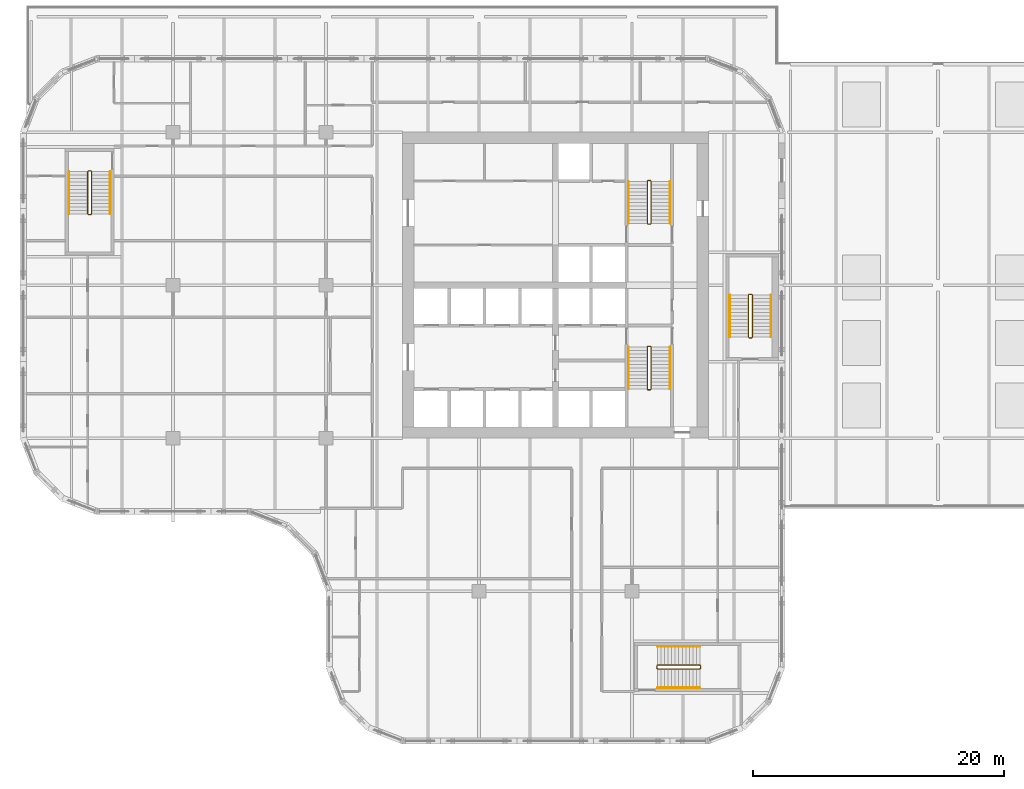
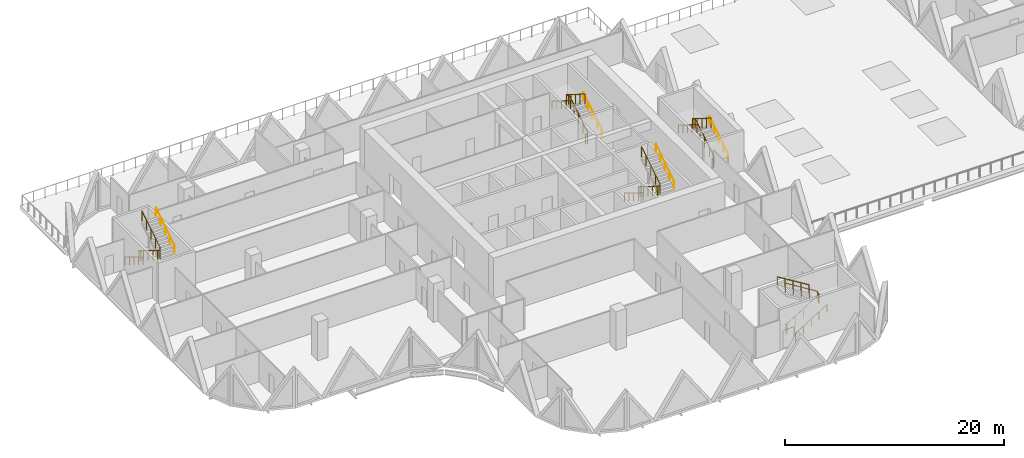
# One storey, part 19 of 21: 15 railings.
"""IFC4 building model written with IfcOpenShell, lengths in metres."""

from ifc_helpers import new_model, si_unit, direction, frame, origin, origin_2d, place, context, subcontext, project, spatial, circle, extrude, material, type_object, element, save


model = new_model("IFC4")

# Units and contexts
model_context = context("Model", 3, precision=1e-05, world=origin(), true_north=direction((0.0, 1.0)))
body_context = subcontext(model_context, "Body", "Model", "MODEL_VIEW")
ifc_project = project(units=[si_unit("LENGTHUNIT", "METRE"), si_unit("AREAUNIT", "SQUARE_METRE"), si_unit("VOLUMEUNIT", "CUBIC_METRE"), si_unit("PLANEANGLEUNIT", "RADIAN"), si_unit("MASSUNIT", "GRAM", prefix="KILO")], contexts=[model_context])

# Site, building, storey
site_placement = place(None, origin())
site = spatial("IfcSite", under=ifc_project, at=site_placement, CompositionType="ELEMENT")
building_placement = place(site_placement, origin())
building = spatial("IfcBuilding", under=site, at=building_placement, Name="Tessera Gate Towers", CompositionType="ELEMENT")
storey_placement = place(building_placement, frame((0.0, 0.0, 16.800048828125)))
storey = spatial("IfcBuildingStorey", under=building, at=storey_placement, Name="L03", CompositionType="ELEMENT", Elevation=16.800048828125)

# Railings
ifc_material_1 = material(Name="Steel 350W", Category="steel")
railing_type_1 = type_object("IfcRailingType", Name="STAIR GUARD 1100", PredefinedType="GUARDRAIL", material=ifc_material_1)
railing_1_placement = place(storey_placement, frame((50.27490234375, 31.72509765625, 0.0)))
element("IfcRailing", 1, at=railing_1_placement, inside=storey, type_object=railing_type_1, Name="L03 ST1 stair guard 1", PredefinedType="GUARDRAIL", context=body_context, shape_type="SweptSolid", body=[
    extrude(circle(Radius=0.02392578125, at=origin_2d()), frame((0.0, 0.0, 1.076171875), z_axis=(-1.0, 0.0, 0.0), x_axis=(0.0, -1.0, 0.0)), (0.0, 0.0, 1.0), 0.199951171875),
    extrude(circle(Radius=0.02392578125, at=origin_2d()), frame((-0.199951171875, 0.0, 1.076171875), z_axis=(-0.267629722418, -0.267629722418, 0.925607186314), x_axis=(0.707106781187, -0.707106781187, 0.0)), (0.0, 0.0, 1.0), 0.18701171875),
    extrude(circle(Radius=0.02392578125, at=origin_2d()), frame((-0.25, -0.050048828125, 1.2490234375), z_axis=(0.0, -0.850623216509, 0.525775754039), x_axis=(1.0, 0.0, 0.0)), (0.0, 0.0, 1.0), 3.9501953125),
    extrude(circle(Radius=0.02392578125, at=origin_2d()), frame((-0.25, -3.41015625, 3.326171875), z_axis=(0.707106781187, -0.707106781187, 0.0), x_axis=(0.707106781187, 0.707106781187, 0.0)), (0.0, 0.0, 1.0), 0.07080078125),
    extrude(circle(Radius=0.02392578125, at=origin_2d()), frame((-0.199951171875, -3.460205078125, 3.326171875), z_axis=(1.0, 0.0, 0.0), x_axis=(0.0, 1.0, 0.0)), (0.0, 0.0, 1.0), 0.199951171875),
    extrude(circle(Radius=0.02392578125, at=origin_2d()), frame((0.0, -3.460205078125, 3.326171875), z_axis=(0.267629722418, 0.267629722418, 0.925607186314), x_axis=(-0.707106781187, 0.707106781187, 0.0)), (0.0, 0.0, 1.0), 0.18701171875),
    extrude(circle(Radius=0.02392578125, at=origin_2d()), frame((0.050048828125, -3.41015625, 3.4990234375), z_axis=(0.0, 0.850623216509, 0.525775754039), x_axis=(-1.0, 0.0, 0.0)), (0.0, 0.0, 1.0), 3.9501953125),
    extrude(circle(Radius=0.02099609375, at=origin_2d()), origin(), (0.0, 0.0, 1.0), 1.052001953125),
    extrude(circle(Radius=0.02099609375, at=origin_2d()), frame((-0.199951171875, 0.0, 0.0)), (0.0, 0.0, 1.0), 1.052001953125),
    extrude(circle(Radius=0.02099609375, at=origin_2d()), frame((-0.25, -0.050048828125, 0.173095703125)), (0.0, 0.0, 1.0), 1.052001953125),
    extrude(circle(Radius=0.02099609375, at=origin_2d()), frame((-0.25, -0.89013671875, 0.6923828125)), (0.0, 0.0, 1.0), 1.052001953125),
    extrude(circle(Radius=0.02099609375, at=origin_2d()), frame((-0.25, -1.72998046875, 1.21142578125)), (0.0, 0.0, 1.0), 1.052001953125),
    extrude(circle(Radius=0.02099609375, at=origin_2d()), frame((-0.25, -2.570068359375, 1.730712890625)), (0.0, 0.0, 1.0), 1.052001953125),
    extrude(circle(Radius=0.02099609375, at=origin_2d()), frame((-0.25, -3.41015625, 2.25)), (0.0, 0.0, 1.0), 1.052001953125),
    extrude(circle(Radius=0.02099609375, at=origin_2d()), frame((-0.199951171875, -3.460205078125, 2.25)), (0.0, 0.0, 1.0), 1.052001953125),
    extrude(circle(Radius=0.02099609375, at=origin_2d()), frame((0.0, -3.460205078125, 2.25)), (0.0, 0.0, 1.0), 1.052001953125),
    extrude(circle(Radius=0.02099609375, at=origin_2d()), frame((0.050048828125, -3.41015625, 2.423095703125)), (0.0, 0.0, 1.0), 1.052001953125),
    extrude(circle(Radius=0.02099609375, at=origin_2d()), frame((0.050048828125, -2.570068359375, 2.9423828125)), (0.0, 0.0, 1.0), 1.052001953125),
    extrude(circle(Radius=0.02099609375, at=origin_2d()), frame((0.050048828125, -1.72998046875, 3.46142578125)), (0.0, 0.0, 1.0), 1.052001953125),
    extrude(circle(Radius=0.02099609375, at=origin_2d()), frame((0.050048828125, -0.89013671875, 3.980712890625)), (0.0, 0.0, 1.0), 1.052001953125),
    extrude(circle(Radius=0.02099609375, at=origin_2d()), frame((0.050048828125, -0.050048828125, 4.5)), (0.0, 0.0, 1.0), 1.052001953125),
])
railing_2_placement = place(storey_placement, frame((50.074951171875, 41.47509765625, 0.0)))
element("IfcRailing", 2, at=railing_2_placement, inside=storey, type_object=railing_type_1, Name="L03 ST2 stair guard 1", PredefinedType="GUARDRAIL", context=body_context, shape_type="SweptSolid", body=[
    extrude(circle(Radius=0.02392578125, at=origin_2d()), frame((0.0, 0.0, 1.076171875), z_axis=(1.0, 0.0, 0.0), x_axis=(0.0, 1.0, 0.0)), (0.0, 0.0, 1.0), 0.199951171875),
    extrude(circle(Radius=0.02392578125, at=origin_2d()), frame((0.199951171875, 0.0, 1.076171875), z_axis=(0.267723051232, 0.266417085129, 0.925929967433), x_axis=(-0.705375805398, 0.708833529934, 0.0)), (0.0, 0.0, 1.0), 0.18701171875),
    extrude(circle(Radius=0.02392578125, at=origin_2d()), frame((0.25, 0.0498046875, 1.2490234375), z_axis=(0.0, 0.850623216509, 0.525775754039), x_axis=(-1.0, 0.0, 0.0)), (0.0, 0.0, 1.0), 3.9501953125),
    extrude(circle(Radius=0.02392578125, at=origin_2d()), frame((0.25, 3.409912109375, 3.326171875), z_axis=(-0.707106781187, 0.707106781187, 0.0), x_axis=(-0.707106781187, -0.707106781187, 0.0)), (0.0, 0.0, 1.0), 0.07080078125),
    extrude(circle(Radius=0.02392578125, at=origin_2d()), frame((0.199951171875, 3.4599609375, 3.326171875), z_axis=(-1.0, 0.0, 0.0), x_axis=(0.0, -1.0, 0.0)), (0.0, 0.0, 1.0), 0.199951171875),
    extrude(circle(Radius=0.02392578125, at=origin_2d()), frame((0.0, 3.4599609375, 3.326171875), z_axis=(-0.267629722418, -0.267629722418, 0.925607186314), x_axis=(0.707106781187, -0.707106781187, 0.0)), (0.0, 0.0, 1.0), 0.18701171875),
    extrude(circle(Radius=0.02392578125, at=origin_2d()), frame((-0.050048828125, 3.409912109375, 3.4990234375), z_axis=(0.0, -0.850623216509, 0.525775754039), x_axis=(1.0, 0.0, 0.0)), (0.0, 0.0, 1.0), 3.9501953125),
    extrude(circle(Radius=0.02099609375, at=origin_2d()), origin(), (0.0, 0.0, 1.0), 1.052001953125),
    extrude(circle(Radius=0.02099609375, at=origin_2d()), frame((0.199951171875, 0.0, 0.0)), (0.0, 0.0, 1.0), 1.052001953125),
    extrude(circle(Radius=0.02099609375, at=origin_2d()), frame((0.25, 0.0498046875, 0.173095703125)), (0.0, 0.0, 1.0), 1.052001953125),
    extrude(circle(Radius=0.02099609375, at=origin_2d()), frame((0.25, 0.889892578125, 0.6923828125)), (0.0, 0.0, 1.0), 1.052001953125),
    extrude(circle(Radius=0.02099609375, at=origin_2d()), frame((0.25, 1.72998046875, 1.21142578125)), (0.0, 0.0, 1.0), 1.052001953125),
    extrude(circle(Radius=0.02099609375, at=origin_2d()), frame((0.25, 2.56982421875, 1.730712890625)), (0.0, 0.0, 1.0), 1.052001953125),
    extrude(circle(Radius=0.02099609375, at=origin_2d()), frame((0.25, 3.409912109375, 2.25)), (0.0, 0.0, 1.0), 1.052001953125),
    extrude(circle(Radius=0.02099609375, at=origin_2d()), frame((0.199951171875, 3.4599609375, 2.25)), (0.0, 0.0, 1.0), 1.052001953125),
    extrude(circle(Radius=0.02099609375, at=origin_2d()), frame((0.0, 3.4599609375, 2.25)), (0.0, 0.0, 1.0), 1.052001953125),
    extrude(circle(Radius=0.02099609375, at=origin_2d()), frame((-0.050048828125, 3.409912109375, 2.423095703125)), (0.0, 0.0, 1.0), 1.052001953125),
    extrude(circle(Radius=0.02099609375, at=origin_2d()), frame((-0.050048828125, 2.56982421875, 2.9423828125)), (0.0, 0.0, 1.0), 1.052001953125),
    extrude(circle(Radius=0.02099609375, at=origin_2d()), frame((-0.050048828125, 1.72998046875, 3.46142578125)), (0.0, 0.0, 1.0), 1.052001953125),
    extrude(circle(Radius=0.02099609375, at=origin_2d()), frame((-0.050048828125, 0.889892578125, 3.980712890625)), (0.0, 0.0, 1.0), 1.052001953125),
    extrude(circle(Radius=0.02099609375, at=origin_2d()), frame((-0.050048828125, 0.0498046875, 4.5)), (0.0, 0.0, 1.0), 1.052001953125),
])
railing_3_placement = place(storey_placement, frame((5.64990234375, 45.699951171875, 0.0)))
element("IfcRailing", 3, at=railing_3_placement, inside=storey, type_object=railing_type_1, Name="L03 ST3 stair guard 1", PredefinedType="GUARDRAIL", context=body_context, shape_type="SweptSolid", body=[
    extrude(circle(Radius=0.02392578125, at=origin_2d()), frame((0.0, 0.0, 1.076171875), z_axis=(-1.0, 0.0, 0.0), x_axis=(0.0, -1.0, 0.0)), (0.0, 0.0, 1.0), 0.199951171875),
    extrude(circle(Radius=0.02392578125, at=origin_2d()), frame((-0.199951171875, 0.0, 1.076171875), z_axis=(-0.267629722418, -0.267629722418, 0.925607186314), x_axis=(0.707106781187, -0.707106781187, 0.0)), (0.0, 0.0, 1.0), 0.18701171875),
    extrude(circle(Radius=0.02392578125, at=origin_2d()), frame((-0.25, -0.050048828125, 1.2490234375), z_axis=(0.0, -0.850606129759, 0.525803396734), x_axis=(1.0, 0.0, 0.0)), (0.0, 0.0, 1.0), 3.949951171875),
    extrude(circle(Radius=0.02392578125, at=origin_2d()), frame((-0.25, -3.409912109375, 3.326171875), z_axis=(0.707106781187, -0.707106781187, 0.0), x_axis=(0.707106781187, 0.707106781187, 0.0)), (0.0, 0.0, 1.0), 0.07080078125),
    extrude(circle(Radius=0.02392578125, at=origin_2d()), frame((-0.199951171875, -3.4599609375, 3.326171875), z_axis=(1.0, 0.0, 0.0), x_axis=(0.0, 1.0, 0.0)), (0.0, 0.0, 1.0), 0.199951171875),
    extrude(circle(Radius=0.02392578125, at=origin_2d()), frame((0.0, -3.4599609375, 3.326171875), z_axis=(0.267629722418, 0.267629722418, 0.925607186314), x_axis=(-0.707106781187, 0.707106781187, 0.0)), (0.0, 0.0, 1.0), 0.18701171875),
    extrude(circle(Radius=0.02392578125, at=origin_2d()), frame((0.050048828125, -3.409912109375, 3.4990234375), z_axis=(0.0, 0.850606129759, 0.525803396734), x_axis=(-1.0, 0.0, 0.0)), (0.0, 0.0, 1.0), 3.949951171875),
    extrude(circle(Radius=0.02099609375, at=origin_2d()), origin(), (0.0, 0.0, 1.0), 1.052001953125),
    extrude(circle(Radius=0.02099609375, at=origin_2d()), frame((-0.199951171875, 0.0, 0.0)), (0.0, 0.0, 1.0), 1.052001953125),
    extrude(circle(Radius=0.02099609375, at=origin_2d()), frame((-0.25, -0.050048828125, 0.173095703125)), (0.0, 0.0, 1.0), 1.052001953125),
    extrude(circle(Radius=0.02099609375, at=origin_2d()), frame((-0.25, -0.89013671875, 0.6923828125)), (0.0, 0.0, 1.0), 1.052001953125),
    extrude(circle(Radius=0.02099609375, at=origin_2d()), frame((-0.25, -1.72998046875, 1.21142578125)), (0.0, 0.0, 1.0), 1.052001953125),
    extrude(circle(Radius=0.02099609375, at=origin_2d()), frame((-0.25, -2.56982421875, 1.730712890625)), (0.0, 0.0, 1.0), 1.052001953125),
    extrude(circle(Radius=0.02099609375, at=origin_2d()), frame((-0.25, -3.409912109375, 2.25)), (0.0, 0.0, 1.0), 1.052001953125),
    extrude(circle(Radius=0.02099609375, at=origin_2d()), frame((-0.199951171875, -3.4599609375, 2.25)), (0.0, 0.0, 1.0), 1.052001953125),
    extrude(circle(Radius=0.02099609375, at=origin_2d()), frame((0.0, -3.4599609375, 2.25)), (0.0, 0.0, 1.0), 1.052001953125),
    extrude(circle(Radius=0.02099609375, at=origin_2d()), frame((0.050048828125, -3.409912109375, 2.423095703125)), (0.0, 0.0, 1.0), 1.052001953125),
    extrude(circle(Radius=0.02099609375, at=origin_2d()), frame((0.050048828125, -2.56982421875, 2.9423828125)), (0.0, 0.0, 1.0), 1.052001953125),
    extrude(circle(Radius=0.02099609375, at=origin_2d()), frame((0.050048828125, -1.72998046875, 3.46142578125)), (0.0, 0.0, 1.0), 1.052001953125),
    extrude(circle(Radius=0.02099609375, at=origin_2d()), frame((0.050048828125, -0.89013671875, 3.980712890625)), (0.0, 0.0, 1.0), 1.052001953125),
    extrude(circle(Radius=0.02099609375, at=origin_2d()), frame((0.050048828125, -0.050048828125, 4.5)), (0.0, 0.0, 1.0), 1.052001953125),
])
railing_4_placement = place(storey_placement, frame((50.800048828125, 6.25, 0.0)))
element("IfcRailing", 4, at=railing_4_placement, inside=storey, type_object=railing_type_1, Name="L03 ST4 stair guard 1", PredefinedType="GUARDRAIL", context=body_context, shape_type="SweptSolid", body=[
    extrude(circle(Radius=0.02392578125, at=origin_2d()), frame((0.0, 0.0, 1.076171875), z_axis=(0.0, -1.0, 0.0), x_axis=(1.0, 0.0, 0.0)), (0.0, 0.0, 1.0), 0.199951171875),
    extrude(circle(Radius=0.02392578125, at=origin_2d()), frame((0.0, -0.199951171875, 1.076171875), z_axis=(0.267629722418, -0.267629722418, 0.925607186314), x_axis=(0.707106781187, 0.707106781187, 0.0)), (0.0, 0.0, 1.0), 0.18701171875),
    extrude(circle(Radius=0.02392578125, at=origin_2d()), frame((0.050048828125, -0.25, 1.2490234375), z_axis=(0.850606129759, 0.0, 0.525803396734), x_axis=(0.0, 1.0, 0.0)), (0.0, 0.0, 1.0), 3.949951171875),
    extrude(circle(Radius=0.02392578125, at=origin_2d()), frame((3.409912109375, -0.25, 3.326171875), z_axis=(0.707106781187, 0.707106781187, 0.0), x_axis=(-0.707106781187, 0.707106781187, 0.0)), (0.0, 0.0, 1.0), 0.07080078125),
    extrude(circle(Radius=0.02392578125, at=origin_2d()), frame((3.4599609375, -0.199951171875, 3.326171875), z_axis=(0.0, 1.0, 0.0), x_axis=(-1.0, 0.0, 0.0)), (0.0, 0.0, 1.0), 0.199951171875),
    extrude(circle(Radius=0.02392578125, at=origin_2d()), frame((3.4599609375, 0.0, 3.326171875), z_axis=(-0.267629722418, 0.267629722418, 0.925607186314), x_axis=(-0.707106781187, -0.707106781187, 0.0)), (0.0, 0.0, 1.0), 0.18701171875),
    extrude(circle(Radius=0.02392578125, at=origin_2d()), frame((3.409912109375, 0.050048828125, 3.4990234375), z_axis=(-0.850606129759, 0.0, 0.525803396734), x_axis=(0.0, -1.0, 0.0)), (0.0, 0.0, 1.0), 3.949951171875),
    extrude(circle(Radius=0.02099609375, at=origin_2d()), origin(), (0.0, 0.0, 1.0), 1.052001953125),
    extrude(circle(Radius=0.02099609375, at=origin_2d()), frame((0.0, -0.199951171875, 0.0)), (0.0, 0.0, 1.0), 1.052001953125),
    extrude(circle(Radius=0.02099609375, at=origin_2d()), frame((0.050048828125, -0.25, 0.173095703125)), (0.0, 0.0, 1.0), 1.052001953125),
    extrude(circle(Radius=0.02099609375, at=origin_2d()), frame((0.89013671875, -0.25, 0.6923828125)), (0.0, 0.0, 1.0), 1.052001953125),
    extrude(circle(Radius=0.02099609375, at=origin_2d()), frame((1.72998046875, -0.25, 1.21142578125)), (0.0, 0.0, 1.0), 1.052001953125),
    extrude(circle(Radius=0.02099609375, at=origin_2d()), frame((2.56982421875, -0.25, 1.730712890625)), (0.0, 0.0, 1.0), 1.052001953125),
    extrude(circle(Radius=0.02099609375, at=origin_2d()), frame((3.409912109375, -0.25, 2.25)), (0.0, 0.0, 1.0), 1.052001953125),
    extrude(circle(Radius=0.02099609375, at=origin_2d()), frame((3.4599609375, -0.199951171875, 2.25)), (0.0, 0.0, 1.0), 1.052001953125),
    extrude(circle(Radius=0.02099609375, at=origin_2d()), frame((3.4599609375, 0.0, 2.25)), (0.0, 0.0, 1.0), 1.052001953125),
    extrude(circle(Radius=0.02099609375, at=origin_2d()), frame((3.409912109375, 0.050048828125, 2.423095703125)), (0.0, 0.0, 1.0), 1.052001953125),
    extrude(circle(Radius=0.02099609375, at=origin_2d()), frame((2.56982421875, 0.050048828125, 2.9423828125)), (0.0, 0.0, 1.0), 1.052001953125),
    extrude(circle(Radius=0.02099609375, at=origin_2d()), frame((1.72998046875, 0.050048828125, 3.46142578125)), (0.0, 0.0, 1.0), 1.052001953125),
    extrude(circle(Radius=0.02099609375, at=origin_2d()), frame((0.89013671875, 0.050048828125, 3.980712890625)), (0.0, 0.0, 1.0), 1.052001953125),
    extrude(circle(Radius=0.02099609375, at=origin_2d()), frame((0.050048828125, 0.050048828125, 4.5)), (0.0, 0.0, 1.0), 1.052001953125),
])
railing_5_placement = place(storey_placement, frame((58.14990234375, 32.39990234375, 0.0)))
element("IfcRailing", 5, at=railing_5_placement, inside=storey, type_object=railing_type_1, Name="L03 ST5 stair guard 1", PredefinedType="GUARDRAIL", context=body_context, shape_type="SweptSolid", body=[
    extrude(circle(Radius=0.02392578125, at=origin_2d()), frame((0.0, 0.0, 1.076171875), z_axis=(1.0, 0.0, 0.0), x_axis=(0.0, 1.0, 0.0)), (0.0, 0.0, 1.0), 0.2001953125),
    extrude(circle(Radius=0.02392578125, at=origin_2d()), frame((0.2001953125, 0.0, 1.076171875), z_axis=(0.266417085129, 0.267723051232, 0.925929967433), x_axis=(-0.708833529934, 0.705375805398, 0.0)), (0.0, 0.0, 1.0), 0.18701171875),
    extrude(circle(Radius=0.02392578125, at=origin_2d()), frame((0.25, 0.050048828125, 1.2490234375), z_axis=(0.0, 0.850623216509, 0.525775754039), x_axis=(-1.0, 0.0, 0.0)), (0.0, 0.0, 1.0), 3.9501953125),
    extrude(circle(Radius=0.02392578125, at=origin_2d()), frame((0.25, 3.41015625, 3.326171875), z_axis=(-0.705375805398, 0.708833529934, 0.0), x_axis=(-0.708833529934, -0.705375805398, 0.0)), (0.0, 0.0, 1.0), 0.070556640625),
    extrude(circle(Radius=0.02392578125, at=origin_2d()), frame((0.2001953125, 3.460205078125, 3.326171875), z_axis=(-1.0, 0.0, 0.0), x_axis=(0.0, -1.0, 0.0)), (0.0, 0.0, 1.0), 0.2001953125),
    extrude(circle(Radius=0.02392578125, at=origin_2d()), frame((0.0, 3.460205078125, 3.326171875), z_axis=(-0.266417085129, -0.267723051232, 0.925929967433), x_axis=(0.708833529934, -0.705375805398, 0.0)), (0.0, 0.0, 1.0), 0.18701171875),
    extrude(circle(Radius=0.02392578125, at=origin_2d()), frame((-0.0498046875, 3.41015625, 3.4990234375), z_axis=(0.0, -0.850623216509, 0.525775754039), x_axis=(1.0, 0.0, 0.0)), (0.0, 0.0, 1.0), 3.9501953125),
    extrude(circle(Radius=0.02099609375, at=origin_2d()), origin(), (0.0, 0.0, 1.0), 1.052001953125),
    extrude(circle(Radius=0.02099609375, at=origin_2d()), frame((0.2001953125, 0.0, 0.0)), (0.0, 0.0, 1.0), 1.052001953125),
    extrude(circle(Radius=0.02099609375, at=origin_2d()), frame((0.25, 0.050048828125, 0.173095703125)), (0.0, 0.0, 1.0), 1.052001953125),
    extrude(circle(Radius=0.02099609375, at=origin_2d()), frame((0.25, 0.89013671875, 0.6923828125)), (0.0, 0.0, 1.0), 1.052001953125),
    extrude(circle(Radius=0.02099609375, at=origin_2d()), frame((0.25, 1.72998046875, 1.21142578125)), (0.0, 0.0, 1.0), 1.052001953125),
    extrude(circle(Radius=0.02099609375, at=origin_2d()), frame((0.25, 2.570068359375, 1.730712890625)), (0.0, 0.0, 1.0), 1.052001953125),
    extrude(circle(Radius=0.02099609375, at=origin_2d()), frame((0.25, 3.41015625, 2.25)), (0.0, 0.0, 1.0), 1.052001953125),
    extrude(circle(Radius=0.02099609375, at=origin_2d()), frame((0.2001953125, 3.460205078125, 2.25)), (0.0, 0.0, 1.0), 1.052001953125),
    extrude(circle(Radius=0.02099609375, at=origin_2d()), frame((0.0, 3.460205078125, 2.25)), (0.0, 0.0, 1.0), 1.052001953125),
    extrude(circle(Radius=0.02099609375, at=origin_2d()), frame((-0.0498046875, 3.41015625, 2.423095703125)), (0.0, 0.0, 1.0), 1.052001953125),
    extrude(circle(Radius=0.02099609375, at=origin_2d()), frame((-0.0498046875, 2.570068359375, 2.9423828125)), (0.0, 0.0, 1.0), 1.052001953125),
    extrude(circle(Radius=0.02099609375, at=origin_2d()), frame((-0.0498046875, 1.72998046875, 3.46142578125)), (0.0, 0.0, 1.0), 1.052001953125),
    extrude(circle(Radius=0.02099609375, at=origin_2d()), frame((-0.0498046875, 0.89013671875, 3.980712890625)), (0.0, 0.0, 1.0), 1.052001953125),
    extrude(circle(Radius=0.02099609375, at=origin_2d()), frame((-0.0498046875, 0.050048828125, 4.5)), (0.0, 0.0, 1.0), 1.052001953125),
])
ifc_material_2 = material(Name="Steel 350W", Category="steel")
railing_type_2 = type_object("IfcRailingType", Name="STAIR HANDRAIL 900", PredefinedType="HANDRAIL", material=ifc_material_2)
railing_6_placement = place(storey_placement, frame((48.52490234375, 31.675048828125, 0.173095703125)))
element("IfcRailing", 6, at=railing_6_placement, inside=storey, type_object=railing_type_2, Name="L03 ST1 stair handrail 1", PredefinedType="HANDRAIL", context=body_context, shape_type="SweptSolid", body=[
    extrude(circle(Radius=0.02392578125, at=origin_2d()), frame((0.0, 0.0, 0.8759765625), z_axis=(0.0, -0.850623216509, 0.525775754039), x_axis=(1.0, 0.0, 0.0)), (0.0, 0.0, 1.0), 3.9501953125),
    extrude(circle(Radius=0.02099609375, at=origin_2d()), origin(), (0.0, 0.0, 1.0), 0.851806640625),
    extrude(circle(Radius=0.02099609375, at=origin_2d()), frame((0.0, -0.840087890625, 0.519287109375)), (0.0, 0.0, 1.0), 0.851806640625),
    extrude(circle(Radius=0.02099609375, at=origin_2d()), frame((0.0, -1.68017578125, 1.03857421875)), (0.0, 0.0, 1.0), 0.851806640625),
    extrude(circle(Radius=0.02099609375, at=origin_2d()), frame((0.0, -2.52001953125, 1.5576171875)), (0.0, 0.0, 1.0), 0.851806640625),
    extrude(circle(Radius=0.02099609375, at=origin_2d()), frame((0.0, -3.360107421875, 2.076904296875)), (0.0, 0.0, 1.0), 0.851806640625),
])
for number, where, name in (
    (7, (51.824951171875, 28.31494140625, 2.423095703125), "L03 ST1 stair handrail 2"),
    (8, (51.824951171875, 41.52490234375, 0.173095703125), "L03 ST2 stair handrail 1"),
):
    element("IfcRailing", number, at=place(storey_placement, frame(where)), inside=storey, type_object=railing_type_2, Name=name, PredefinedType="HANDRAIL", context=body_context, shape_type="SweptSolid", body=[
        extrude(circle(Radius=0.02392578125, at=origin_2d()), frame((0.0, 0.0, 0.8759765625), z_axis=(0.0, 0.850623216509, 0.525775754039), x_axis=(-1.0, 0.0, 0.0)), (0.0, 0.0, 1.0), 3.9501953125),
        extrude(circle(Radius=0.02099609375, at=origin_2d()), origin(), (0.0, 0.0, 1.0), 0.851806640625),
        extrude(circle(Radius=0.02099609375, at=origin_2d()), frame((0.0, 0.840087890625, 0.519287109375)), (0.0, 0.0, 1.0), 0.851806640625),
        extrude(circle(Radius=0.02099609375, at=origin_2d()), frame((0.0, 1.68017578125, 1.03857421875)), (0.0, 0.0, 1.0), 0.851806640625),
        extrude(circle(Radius=0.02099609375, at=origin_2d()), frame((0.0, 2.52001953125, 1.5576171875)), (0.0, 0.0, 1.0), 0.851806640625),
        extrude(circle(Radius=0.02099609375, at=origin_2d()), frame((0.0, 3.360107421875, 2.076904296875)), (0.0, 0.0, 1.0), 0.851806640625),
    ])
railing_7_placement = place(storey_placement, frame((48.52490234375, 44.885009765625, 2.423095703125)))
element("IfcRailing", 9, at=railing_7_placement, inside=storey, type_object=railing_type_2, Name="L03 ST2 stair handrail 2", PredefinedType="HANDRAIL", context=body_context, shape_type="SweptSolid", body=[
    extrude(circle(Radius=0.02392578125, at=origin_2d()), frame((0.0, 0.0, 0.8759765625), z_axis=(0.0, -0.850623216509, 0.525775754039), x_axis=(1.0, 0.0, 0.0)), (0.0, 0.0, 1.0), 3.9501953125),
    extrude(circle(Radius=0.02099609375, at=origin_2d()), origin(), (0.0, 0.0, 1.0), 0.851806640625),
    extrude(circle(Radius=0.02099609375, at=origin_2d()), frame((0.0, -0.840087890625, 0.519287109375)), (0.0, 0.0, 1.0), 0.851806640625),
    extrude(circle(Radius=0.02099609375, at=origin_2d()), frame((0.0, -1.68017578125, 1.03857421875)), (0.0, 0.0, 1.0), 0.851806640625),
    extrude(circle(Radius=0.02099609375, at=origin_2d()), frame((0.0, -2.52001953125, 1.5576171875)), (0.0, 0.0, 1.0), 0.851806640625),
    extrude(circle(Radius=0.02099609375, at=origin_2d()), frame((0.0, -3.360107421875, 2.076904296875)), (0.0, 0.0, 1.0), 0.851806640625),
])
railing_8_placement = place(storey_placement, frame((3.89990234375, 45.64990234375, 0.173095703125)))
element("IfcRailing", 10, at=railing_8_placement, inside=storey, type_object=railing_type_2, Name="L03 ST3 stair handrail 1", PredefinedType="HANDRAIL", context=body_context, shape_type="SweptSolid", body=[
    extrude(circle(Radius=0.02392578125, at=origin_2d()), frame((0.0, 0.0, 0.8759765625), z_axis=(0.0, -0.850606129759, 0.525803396734), x_axis=(1.0, 0.0, 0.0)), (0.0, 0.0, 1.0), 3.949951171875),
    extrude(circle(Radius=0.02099609375, at=origin_2d()), origin(), (0.0, 0.0, 1.0), 0.851806640625),
    extrude(circle(Radius=0.02099609375, at=origin_2d()), frame((0.0, -0.83984375, 0.519287109375)), (0.0, 0.0, 1.0), 0.851806640625),
    extrude(circle(Radius=0.02099609375, at=origin_2d()), frame((0.0, -1.679931640625, 1.03857421875)), (0.0, 0.0, 1.0), 0.851806640625),
    extrude(circle(Radius=0.02099609375, at=origin_2d()), frame((0.0, -2.52001953125, 1.5576171875)), (0.0, 0.0, 1.0), 0.851806640625),
    extrude(circle(Radius=0.02099609375, at=origin_2d()), frame((0.0, -3.35986328125, 2.076904296875)), (0.0, 0.0, 1.0), 0.851806640625),
])
railing_9_placement = place(storey_placement, frame((7.199951171875, 42.2900390625, 2.423095703125)))
element("IfcRailing", 11, at=railing_9_placement, inside=storey, type_object=railing_type_2, Name="L03 ST3 stair handrail 2", PredefinedType="HANDRAIL", context=body_context, shape_type="SweptSolid", body=[
    extrude(circle(Radius=0.02392578125, at=origin_2d()), frame((0.0, 0.0, 0.8759765625), z_axis=(0.0, 0.850606129759, 0.525803396734), x_axis=(-1.0, 0.0, 0.0)), (0.0, 0.0, 1.0), 3.949951171875),
    extrude(circle(Radius=0.02099609375, at=origin_2d()), origin(), (0.0, 0.0, 1.0), 0.851806640625),
    extrude(circle(Radius=0.02099609375, at=origin_2d()), frame((0.0, 0.83984375, 0.519287109375)), (0.0, 0.0, 1.0), 0.851806640625),
    extrude(circle(Radius=0.02099609375, at=origin_2d()), frame((0.0, 1.679931640625, 1.03857421875)), (0.0, 0.0, 1.0), 0.851806640625),
    extrude(circle(Radius=0.02099609375, at=origin_2d()), frame((0.0, 2.52001953125, 1.5576171875)), (0.0, 0.0, 1.0), 0.851806640625),
    extrude(circle(Radius=0.02099609375, at=origin_2d()), frame((0.0, 3.35986328125, 2.076904296875)), (0.0, 0.0, 1.0), 0.851806640625),
])
railing_10_placement = place(storey_placement, frame((50.85009765625, 4.5, 0.173095703125)))
element("IfcRailing", 12, at=railing_10_placement, inside=storey, type_object=railing_type_2, Name="L03 ST4 stair handrail 1", PredefinedType="HANDRAIL", context=body_context, shape_type="SweptSolid", body=[
    extrude(circle(Radius=0.02392578125, at=origin_2d()), frame((0.0, 0.0, 0.8759765625), z_axis=(0.850606129759, 0.0, 0.525803396734), x_axis=(0.0, 1.0, 0.0)), (0.0, 0.0, 1.0), 3.949951171875),
    extrude(circle(Radius=0.02099609375, at=origin_2d()), origin(), (0.0, 0.0, 1.0), 0.851806640625),
    extrude(circle(Radius=0.02099609375, at=origin_2d()), frame((0.83984375, 0.0, 0.519287109375)), (0.0, 0.0, 1.0), 0.851806640625),
    extrude(circle(Radius=0.02099609375, at=origin_2d()), frame((1.679931640625, 0.0, 1.03857421875)), (0.0, 0.0, 1.0), 0.851806640625),
    extrude(circle(Radius=0.02099609375, at=origin_2d()), frame((2.52001953125, 0.0, 1.5576171875)), (0.0, 0.0, 1.0), 0.851806640625),
    extrude(circle(Radius=0.02099609375, at=origin_2d()), frame((3.35986328125, 0.0, 2.076904296875)), (0.0, 0.0, 1.0), 0.851806640625),
])
railing_11_placement = place(storey_placement, frame((54.2099609375, 7.800048828125, 2.423095703125)))
element("IfcRailing", 13, at=railing_11_placement, inside=storey, type_object=railing_type_2, Name="L03 ST4 stair handrail 2", PredefinedType="HANDRAIL", context=body_context, shape_type="SweptSolid", body=[
    extrude(circle(Radius=0.02392578125, at=origin_2d()), frame((0.0, 0.0, 0.8759765625), z_axis=(-0.850606129759, 0.0, 0.525803396734), x_axis=(0.0, -1.0, 0.0)), (0.0, 0.0, 1.0), 3.949951171875),
    extrude(circle(Radius=0.02099609375, at=origin_2d()), origin(), (0.0, 0.0, 1.0), 0.851806640625),
    extrude(circle(Radius=0.02099609375, at=origin_2d()), frame((-0.83984375, 0.0, 0.519287109375)), (0.0, 0.0, 1.0), 0.851806640625),
    extrude(circle(Radius=0.02099609375, at=origin_2d()), frame((-1.679931640625, 0.0, 1.03857421875)), (0.0, 0.0, 1.0), 0.851806640625),
    extrude(circle(Radius=0.02099609375, at=origin_2d()), frame((-2.52001953125, 0.0, 1.5576171875)), (0.0, 0.0, 1.0), 0.851806640625),
    extrude(circle(Radius=0.02099609375, at=origin_2d()), frame((-3.35986328125, 0.0, 2.076904296875)), (0.0, 0.0, 1.0), 0.851806640625),
])
railing_12_placement = place(storey_placement, frame((59.89990234375, 32.449951171875, 0.173095703125)))
element("IfcRailing", 14, at=railing_12_placement, inside=storey, type_object=railing_type_2, Name="L03 ST5 stair handrail 1", PredefinedType="HANDRAIL", context=body_context, shape_type="SweptSolid", body=[
    extrude(circle(Radius=0.02392578125, at=origin_2d()), frame((0.0, 0.0, 0.8759765625), z_axis=(0.0, 0.850623216509, 0.525775754039), x_axis=(-1.0, 0.0, 0.0)), (0.0, 0.0, 1.0), 3.9501953125),
    extrude(circle(Radius=0.02099609375, at=origin_2d()), origin(), (0.0, 0.0, 1.0), 0.851806640625),
    extrude(circle(Radius=0.02099609375, at=origin_2d()), frame((0.0, 0.840087890625, 0.519287109375)), (0.0, 0.0, 1.0), 0.851806640625),
    extrude(circle(Radius=0.02099609375, at=origin_2d()), frame((0.0, 1.68017578125, 1.03857421875)), (0.0, 0.0, 1.0), 0.851806640625),
    extrude(circle(Radius=0.02099609375, at=origin_2d()), frame((0.0, 2.52001953125, 1.5576171875)), (0.0, 0.0, 1.0), 0.851806640625),
    extrude(circle(Radius=0.02099609375, at=origin_2d()), frame((0.0, 3.360107421875, 2.076904296875)), (0.0, 0.0, 1.0), 0.851806640625),
])
railing_13_placement = place(storey_placement, frame((56.60009765625, 35.81005859375, 2.423095703125)))
element("IfcRailing", 15, at=railing_13_placement, inside=storey, type_object=railing_type_2, Name="L03 ST5 stair handrail 2", PredefinedType="HANDRAIL", context=body_context, shape_type="SweptSolid", body=[
    extrude(circle(Radius=0.02392578125, at=origin_2d()), frame((0.0, 0.0, 0.8759765625), z_axis=(0.0, -0.850623216509, 0.525775754039), x_axis=(1.0, 0.0, 0.0)), (0.0, 0.0, 1.0), 3.9501953125),
    extrude(circle(Radius=0.02099609375, at=origin_2d()), origin(), (0.0, 0.0, 1.0), 0.851806640625),
    extrude(circle(Radius=0.02099609375, at=origin_2d()), frame((0.0, -0.840087890625, 0.519287109375)), (0.0, 0.0, 1.0), 0.851806640625),
    extrude(circle(Radius=0.02099609375, at=origin_2d()), frame((0.0, -1.68017578125, 1.03857421875)), (0.0, 0.0, 1.0), 0.851806640625),
    extrude(circle(Radius=0.02099609375, at=origin_2d()), frame((0.0, -2.52001953125, 1.5576171875)), (0.0, 0.0, 1.0), 0.851806640625),
    extrude(circle(Radius=0.02099609375, at=origin_2d()), frame((0.0, -3.360107421875, 2.076904296875)), (0.0, 0.0, 1.0), 0.851806640625),
])

save(model, "model.ifc")
